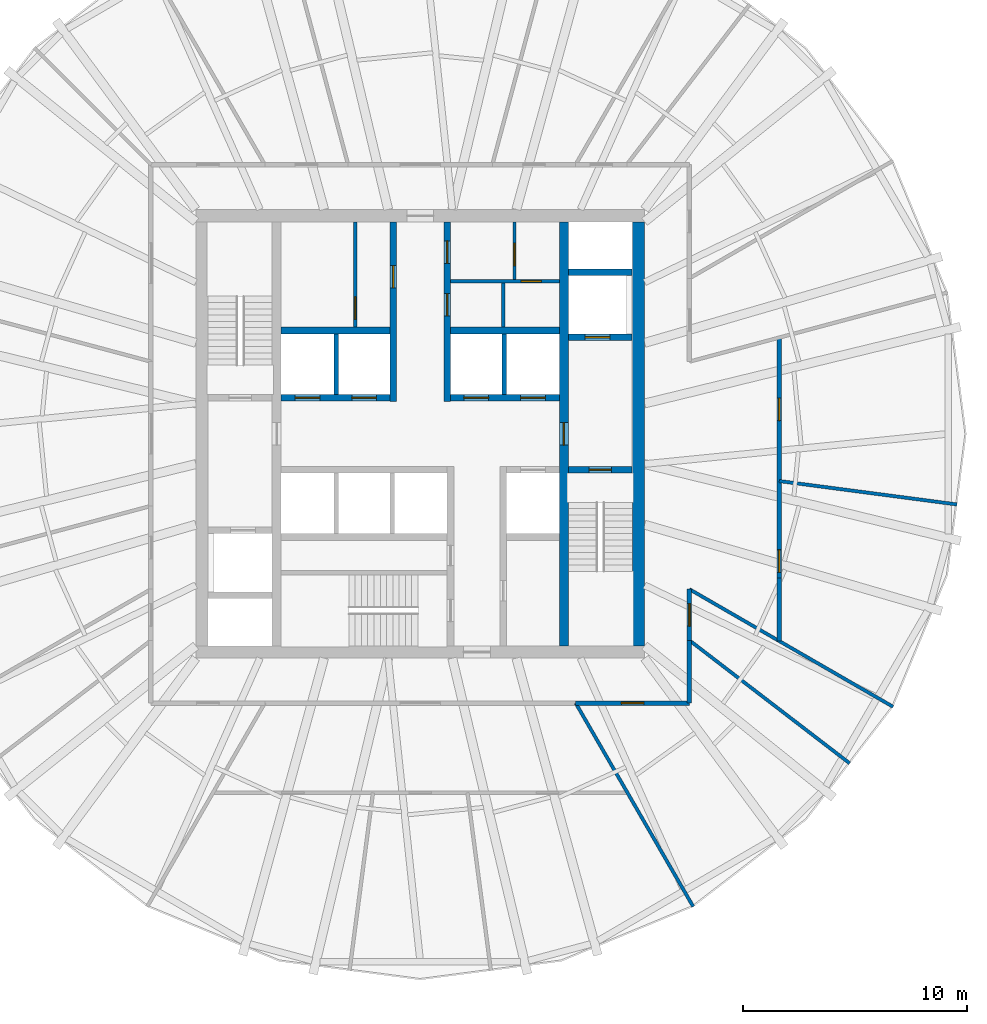
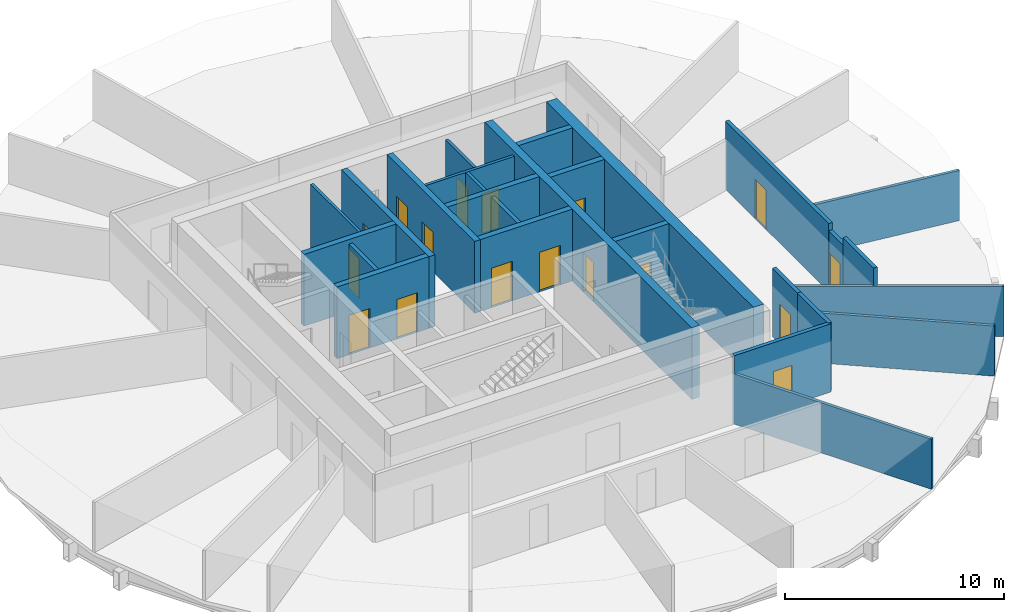
# One storey, part 4 of 6: 27 walls, 17 doors, 17 openings.
"""IFC4 building model written with IfcOpenShell, lengths in metres."""

from ifc_helpers import new_model, si_unit, direction, frame, frame_2d, origin, place, context, subcontext, project, spatial, rectangle, extrude, material, layer, layer_set, type_object, element, fill, save


model = new_model("IFC4")

# Units and contexts
model_context = context("Model", 3, precision=1e-05, world=origin(), true_north=direction((0.0, 1.0)))
body_context = subcontext(model_context, "Body", "Model", "MODEL_VIEW")
ifc_project = project(units=[si_unit("LENGTHUNIT", "METRE"), si_unit("AREAUNIT", "SQUARE_METRE"), si_unit("VOLUMEUNIT", "CUBIC_METRE"), si_unit("PLANEANGLEUNIT", "RADIAN"), si_unit("MASSUNIT", "GRAM", prefix="KILO")], contexts=[model_context])

# Site, building, storey
site_placement = place(None, origin())
site = spatial("IfcSite", under=ifc_project, at=site_placement, CompositionType="ELEMENT")
building_placement = place(site_placement, origin())
building = spatial("IfcBuilding", under=site, at=building_placement, Name="Golbaran Civic Tower", CompositionType="ELEMENT")
storey_placement = place(building_placement, frame((0.0, 0.0, 138.0)))
storey = spatial("IfcBuildingStorey", under=building, at=storey_placement, Name="L33", CompositionType="ELEMENT", Elevation=138.0)

# Wall, opening, door
ifc_material_1 = material(Name="Concrete block", Category="concrete")
ifc_layer_1 = layer(ifc_material_1, 0.14990234375, Name="Concrete block")
ifc_layer_set_1 = layer_set([ifc_layer_1], Name="Concrete block")
wall_type_1 = type_object("IfcWallType", Name="BLOCKWORK PARTITION 150", PredefinedType="PARTITIONING", material=ifc_layer_set_1)
wall_1_placement = place(storey_placement, frame((1.35009765625, 6.800048828125, 0.0), z_axis=(0.0, 0.0, 1.0), x_axis=(1.0, 0.0, 0.0)))
wall_1 = element("IfcWall", 1, at=wall_1_placement, inside=storey, type_object=wall_type_1, Name="Toilet block partition TN1 L33", PredefinedType="PARTITIONING", context=body_context, shape_type="SweptSolid", body=[
    extrude(rectangle(XDim=4.849853515625, YDim=0.14990234375, at=frame_2d((2.4248046875, 0.0))), origin(), (0.0, 0.0, 1.0), 3.75),
])
opening_1_placement = place(wall_1_placement, frame((3.14990234375, 0.0, 0.0)))
opening_1 = element("IfcOpeningElement", 2, at=opening_1_placement, cuts=wall_1, Name="Opening L33.CLN", PredefinedType="OPENING", context=body_context, shape_type="SweptSolid", body=[
    extrude(rectangle(XDim=0.89990234375, YDim=2.199951171875, at=frame_2d((0.449951171875, 1.10009765625))), frame((0.0, 0.0849609375, 0.0), z_axis=(0.0, -1.0, 0.0), x_axis=(1.0, 0.0, 0.0)), (0.0, 0.0, 1.0), 0.169921875),
])
ifc_material_2 = material(Name="Timber door set in steel frame", Category="steel")
door_type_1 = type_object("IfcDoorType", Name="RISER DOOR 900x2200", OperationType="SINGLE_SWING_LEFT", PredefinedType="DOOR", material=ifc_material_2)
door_1_placement = place(opening_1_placement, origin())
door_1 = element("IfcDoor", 3, at=door_1_placement, inside=storey, type_object=door_type_1, Name="Sanitary Supplies Store door", OperationType="SINGLE_SWING_RIGHT", OverallHeight=2.199951171875, OverallWidth=0.89990234375, PredefinedType="DOOR", context=body_context, shape_type="SweptSolid", body=[
    extrude(rectangle(XDim=0.89990234375, YDim=2.199951171875, at=frame_2d((0.449951171875, 1.10009765625))), frame((0.0, 0.02490234375, 0.0), z_axis=(0.0, -1.0, 0.0), x_axis=(1.0, 0.0, 0.0)), (0.0, 0.0, 1.0), 0.050048828125),
])
fill(opening_1, door_1)

# Wall
wall_2_placement = place(storey_placement, frame((3.699951171875, 4.75, 0.0), z_axis=(0.0, 0.0, 1.0), x_axis=(0.0, 1.0, 0.0)))
element("IfcWall", 4, at=wall_2_placement, inside=storey, type_object=wall_type_1, Name="Toilet block partition TN2 L33", PredefinedType="PARTITIONING", context=body_context, shape_type="SweptSolid", body=[
    extrude(rectangle(XDim=1.97509765625, YDim=0.14990234375, at=frame_2d((0.987548828125, 0.0))), origin(), (0.0, 0.0, 1.0), 3.75),
])

# Wall, opening, door
ifc_material_3 = material(Name="Concrete C50/60", Category="concrete")
ifc_layer_2 = layer(ifc_material_3, 0.39990234375, Name="Concrete C50/60")
ifc_layer_set_2 = layer_set([ifc_layer_2], Name="Concrete C50/60")
wall_type_2 = type_object("IfcWallType", Name="CORE WALL CONCRETE 400", PredefinedType="SOLIDWALL", material=ifc_layer_set_2)
wall_3_placement = place(storey_placement, frame((6.39990234375, 9.449951171875, 0.0), z_axis=(0.0, 0.0, 1.0), x_axis=(0.0, -1.0, 0.0)))
wall_3 = element("IfcWall", 5, at=wall_3_placement, inside=storey, type_object=wall_type_2, Name="Core wall IE L33", PredefinedType="SOLIDWALL", context=body_context, shape_type="SweptSolid", body=[
    extrude(rectangle(XDim=18.89990234375, YDim=0.39990234375, at=frame_2d((9.449951171875, 0.0))), origin(), (0.0, 0.0, 1.0), 4.0),
])
opening_2_placement = place(wall_3_placement, frame((8.949951171875, 0.0, 0.0)))
opening_2 = element("IfcOpeningElement", 6, at=opening_2_placement, cuts=wall_3, Name="Opening L33.FL2", PredefinedType="OPENING", context=body_context, shape_type="SweptSolid", body=[
    extrude(rectangle(XDim=1.0, YDim=2.199951171875, at=frame_2d((0.5, 1.10009765625))), frame((0.0, 0.2099609375, 0.0), z_axis=(0.0, -1.0, 0.0), x_axis=(1.0, 0.0, 0.0)), (0.0, 0.0, 1.0), 0.419921875),
])
door_type_2 = type_object("IfcDoorType", Name="STAIR DOOR 1000x2200", OperationType="SINGLE_SWING_LEFT", PredefinedType="DOOR", material=ifc_material_2)
door_2_placement = place(opening_2_placement, origin())
door_2 = element("IfcDoor", 7, at=door_2_placement, inside=storey, type_object=door_type_2, Name="Fire-fighting lobby FL2 door", OperationType="SINGLE_SWING_RIGHT", OverallHeight=2.199951171875, OverallWidth=1.0, PredefinedType="DOOR", context=body_context, shape_type="SweptSolid", body=[
    extrude(rectangle(XDim=1.0, YDim=2.199951171875, at=frame_2d((0.5, 1.10009765625))), frame((0.0, 0.02490234375, 0.0), z_axis=(0.0, -1.0, 0.0), x_axis=(1.0, 0.0, 0.0)), (0.0, 0.0, 1.0), 0.050048828125),
])
fill(opening_2, door_2)

# Wall
ifc_layer_3 = layer(ifc_material_3, 0.550048828125, Name="Concrete C50/60")
ifc_layer_set_3 = layer_set([ifc_layer_3], Name="Concrete C50/60")
wall_type_3 = type_object("IfcWallType", Name="CORE WALL CONCRETE 550", PredefinedType="SOLIDWALL", material=ifc_layer_set_3)
wall_4_placement = place(storey_placement, frame((9.72509765625, -9.449951171875, 0.0), z_axis=(0.0, 0.0, 1.0), x_axis=(0.0, 1.0, 0.0)))
element("IfcWall", 8, at=wall_4_placement, inside=storey, type_object=wall_type_3, Name="Core wall CE L33", PredefinedType="SOLIDWALL", context=body_context, shape_type="SweptSolid", body=[
    extrude(rectangle(XDim=18.89990234375, YDim=0.550048828125, at=frame_2d((9.449951171875, 0.0))), origin(), (0.0, 0.0, 1.0), 4.0),
])

# Wall, opening, door
ifc_material_4 = material(Name="Gypsum board on steel studs, fire-rated", Category="steel")
ifc_layer_4 = layer(ifc_material_4, 0.199951171875, Name="Gypsum board on steel studs, fire-rated")
ifc_layer_set_4 = layer_set([ifc_layer_4], Name="Gypsum board on steel studs, fire-rated")
wall_type_4 = type_object("IfcWallType", Name="CORRIDOR WALL 200", PredefinedType="PARTITIONING", material=ifc_layer_set_4)
wall_5_placement = place(storey_placement, frame((6.92822265625, -12.0, 0.0), z_axis=(0.0, 0.0, 1.0), x_axis=(1.0, 0.0, 0.0)))
wall_5 = element("IfcWall", 9, at=wall_5_placement, inside=storey, type_object=wall_type_4, Name="Corridor wall L33", PredefinedType="PARTITIONING", context=body_context, shape_type="SweptSolid", body=[
    extrude(rectangle(XDim=5.07177734375, YDim=0.199951171875, at=frame_2d((2.535888671875, 0.0))), origin(), (0.0, 0.0, 1.0), 3.800048828125),
])
opening_3_placement = place(wall_5_placement, frame((2.035888671875, 0.0, 0.0)))
opening_3 = element("IfcOpeningElement", 10, at=opening_3_placement, cuts=wall_5, Name="Opening L33.20", PredefinedType="OPENING", context=body_context, shape_type="SweptSolid", body=[
    extrude(rectangle(XDim=1.0, YDim=2.199951171875, at=frame_2d((0.5, 1.10009765625))), frame((0.0, 0.10986328125, 0.0), z_axis=(0.0, -1.0, 0.0), x_axis=(1.0, 0.0, 0.0)), (0.0, 0.0, 1.0), 0.219970703125),
])
door_type_3 = type_object("IfcDoorType", Name="OFFICE DOOR 1000x2200", OperationType="SINGLE_SWING_LEFT", PredefinedType="DOOR", material=ifc_material_2)
door_3_placement = place(opening_3_placement, origin())
door_3 = element("IfcDoor", 11, at=door_3_placement, inside=storey, type_object=door_type_3, Name="Pantry door L33", OperationType="SINGLE_SWING_LEFT", OverallHeight=2.199951171875, OverallWidth=1.0, PredefinedType="DOOR", context=body_context, shape_type="SweptSolid", body=[
    extrude(rectangle(XDim=1.0, YDim=2.199951171875, at=frame_2d((0.5, 1.10009765625))), frame((0.0, 0.02490234375, 0.0), z_axis=(0.0, -1.0, 0.0), x_axis=(1.0, 0.0, 0.0)), (0.0, 0.0, 1.0), 0.050048828125),
])
fill(opening_3, door_3)

# Wall
wall_6_placement = place(storey_placement, frame((12.0, -12.0, 0.0), z_axis=(0.0, 0.0, 1.0), x_axis=(0.0, 1.0, 0.0)))
element("IfcWall", 12, at=wall_6_placement, inside=storey, type_object=wall_type_4, Name="Corridor wall L33", PredefinedType="PARTITIONING", context=body_context, shape_type="SweptSolid", body=[
    extrude(rectangle(XDim=2.7919921875, YDim=0.199951171875, at=frame_2d((1.39599609375, 0.0))), origin(), (0.0, 0.0, 1.0), 3.800048828125),
])

# Wall, opening, door
wall_7_placement = place(storey_placement, frame((12.0, -9.2080078125, 0.0), z_axis=(0.0, 0.0, 1.0), x_axis=(0.0, 1.0, 0.0)))
wall_7 = element("IfcWall", 13, at=wall_7_placement, inside=storey, type_object=wall_type_4, Name="Corridor wall L33", PredefinedType="PARTITIONING", context=body_context, shape_type="SweptSolid", body=[
    extrude(rectangle(XDim=2.27978515625, YDim=0.199951171875, at=frame_2d((1.139892578125, 0.0))), origin(), (0.0, 0.0, 1.0), 3.800048828125),
])
opening_4_placement = place(wall_7_placement, frame((0.639892578125, 0.0, 0.0)))
opening_4 = element("IfcOpeningElement", 14, at=opening_4_placement, cuts=wall_7, Name="Opening L33.21", PredefinedType="OPENING", context=body_context, shape_type="SweptSolid", body=[
    extrude(rectangle(XDim=1.0, YDim=2.199951171875, at=frame_2d((0.5, 1.10009765625))), frame((0.0, 0.10986328125, 0.0), z_axis=(0.0, -1.0, 0.0), x_axis=(1.0, 0.0, 0.0)), (0.0, 0.0, 1.0), 0.219970703125),
])
door_4_placement = place(opening_4_placement, origin())
door_4 = element("IfcDoor", 15, at=door_4_placement, inside=storey, type_object=door_type_3, Name="Prayer Room door L33", OperationType="SINGLE_SWING_LEFT", OverallHeight=2.199951171875, OverallWidth=1.0, PredefinedType="DOOR", context=body_context, shape_type="SweptSolid", body=[
    extrude(rectangle(XDim=1.0, YDim=2.199951171875, at=frame_2d((0.5, 1.10009765625))), frame((0.0, 0.02490234375, 0.0), z_axis=(0.0, -1.0, 0.0), x_axis=(1.0, 0.0, 0.0)), (0.0, 0.0, 1.0), 0.050048828125),
])
fill(opening_4, door_4)

# Wall
ifc_material_5 = material(Name="Gypsum board on steel studs, fire-rated, glazed panels", Category="steel")
ifc_layer_5 = layer(ifc_material_5, 0.199951171875, Name="Gypsum board on steel studs, fire-rated, glazed panels")
ifc_layer_set_5 = layer_set([ifc_layer_5], Name="Gypsum board on steel studs, fire-rated, glazed panels")
wall_type_5 = type_object("IfcWallType", Name="GALLERY WALL 200", PredefinedType="PARTITIONING", material=ifc_layer_set_5)
wall_8_placement = place(storey_placement, frame((16.0, -9.237548828125, 0.0), z_axis=(0.0, 0.0, 1.0), x_axis=(0.0, 1.0, 0.0)))
element("IfcWall", 16, at=wall_8_placement, inside=storey, type_object=wall_type_5, Name="Gallery wall L33", PredefinedType="PARTITIONING", context=body_context, shape_type="SweptSolid", body=[
    extrude(rectangle(XDim=2.8017578125, YDim=0.199951171875, at=frame_2d((1.40087890625, 0.0))), origin(), (0.0, 0.0, 1.0), 3.800048828125),
])

# Wall, opening, door
wall_9_placement = place(storey_placement, frame((16.0, -6.435791015625, 0.0), z_axis=(0.0, 0.0, 1.0), x_axis=(0.0, 1.0, 0.0)))
wall_9 = element("IfcWall", 17, at=wall_9_placement, inside=storey, type_object=wall_type_5, Name="Gallery wall L33 (part 2)", PredefinedType="PARTITIONING", context=body_context, shape_type="SweptSolid", body=[
    extrude(rectangle(XDim=1.28369140625, YDim=0.199951171875, at=frame_2d((0.641845703125, 0.0))), origin(), (0.0, 0.0, 1.0), 3.39990234375),
])
opening_5_placement = place(wall_9_placement, frame((0.263671875, 0.0, 0.0)))
opening_5 = element("IfcOpeningElement", 18, at=opening_5_placement, cuts=wall_9, Name="Opening L33.01", PredefinedType="OPENING", context=body_context, shape_type="SweptSolid", body=[
    extrude(rectangle(XDim=1.0, YDim=2.199951171875, at=frame_2d((0.5, 1.10009765625))), frame((0.0, 0.10986328125, 0.0), z_axis=(0.0, -1.0, 0.0), x_axis=(1.0, 0.0, 0.0)), (0.0, 0.0, 1.0), 0.219970703125),
])
door_5_placement = place(opening_5_placement, origin())
door_5 = element("IfcDoor", 19, at=door_5_placement, inside=storey, type_object=door_type_3, Name="Office door L33", OperationType="SINGLE_SWING_LEFT", OverallHeight=2.199951171875, OverallWidth=1.0, PredefinedType="DOOR", context=body_context, shape_type="SweptSolid", body=[
    extrude(rectangle(XDim=1.0, YDim=2.199951171875, at=frame_2d((0.5, 1.10009765625))), frame((0.0, 0.02490234375, 0.0), z_axis=(0.0, -1.0, 0.0), x_axis=(1.0, 0.0, 0.0)), (0.0, 0.0, 1.0), 0.050048828125),
])
fill(opening_5, door_5)

wall_10_placement = place(storey_placement, frame((16.0, -5.152099609375, 0.0), z_axis=(0.0, 0.0, 1.0), x_axis=(0.0, 1.0, 0.0)))
wall_10 = element("IfcWall", 20, at=wall_10_placement, inside=storey, type_object=wall_type_5, Name="Gallery wall L33 (part 3)", PredefinedType="PARTITIONING", context=body_context, shape_type="SweptSolid", body=[
    extrude(rectangle(XDim=9.439208984375, YDim=0.199951171875, at=frame_2d((4.7197265625, 0.0))), origin(), (0.0, 0.0, 1.0), 3.800048828125),
])
opening_6_placement = place(wall_10_placement, frame((5.742431640625, 0.0, 0.0)))
opening_6 = element("IfcOpeningElement", 21, at=opening_6_placement, cuts=wall_10, Name="Opening L33.02", PredefinedType="OPENING", context=body_context, shape_type="SweptSolid", body=[
    extrude(rectangle(XDim=1.0, YDim=2.199951171875, at=frame_2d((0.5, 1.10009765625))), frame((0.0, 0.10986328125, 0.0), z_axis=(0.0, -1.0, 0.0), x_axis=(1.0, 0.0, 0.0)), (0.0, 0.0, 1.0), 0.219970703125),
])
door_6_placement = place(opening_6_placement, origin())
door_6 = element("IfcDoor", 22, at=door_6_placement, inside=storey, type_object=door_type_3, Name="Office door L33", OperationType="SINGLE_SWING_RIGHT", OverallHeight=2.199951171875, OverallWidth=1.0, PredefinedType="DOOR", context=body_context, shape_type="SweptSolid", body=[
    extrude(rectangle(XDim=1.0, YDim=2.199951171875, at=frame_2d((0.5, 1.10009765625))), frame((0.0, 0.02490234375, 0.0), z_axis=(0.0, -1.0, 0.0), x_axis=(1.0, 0.0, 0.0)), (0.0, 0.0, 1.0), 0.050048828125),
])
fill(opening_6, door_6)

# Walls
ifc_layer_6 = layer(ifc_material_1, 0.199951171875, Name="Concrete block")
ifc_layer_set_6 = layer_set([ifc_layer_6], Name="Concrete block")
wall_type_6 = type_object("IfcWallType", Name="LIFT SEPARATOR WALL 200", PredefinedType="SOLIDWALL", material=ifc_layer_set_6)
for number, where, z_axis, x_axis, name in (
    (23, (-3.75, 1.75, 0.0), (0.0, 0.0, 1.0), (0.0, 1.0, 0.0), "Core partition SNW L33"),
    (24, (3.75, 1.75, 0.0), (0.0, 0.0, 1.0), (0.0, 1.0, 0.0), "Core partition SNE L33"),
):
    element("IfcWall", number, at=place(storey_placement, frame(where, z_axis=z_axis, x_axis=x_axis)), inside=storey, type_object=wall_type_6, Name=name, PredefinedType="SOLIDWALL", context=body_context, shape_type="SweptSolid", body=[
        extrude(rectangle(XDim=2.699951171875, YDim=0.199951171875, at=frame_2d((1.35009765625, 0.0))), origin(), (0.0, 0.0, 1.0), 3.75),
    ])
ifc_material_6 = material(Name="Gypsum board on steel studs", Category="steel")
ifc_layer_7 = layer(ifc_material_6, 0.14990234375, Name="Gypsum board on steel studs")
ifc_layer_set_7 = layer_set([ifc_layer_7], Name="Gypsum board on steel studs")
wall_type_7 = type_object("IfcWallType", Name="OFFICE PARTITION 150", PredefinedType="PARTITIONING", material=ifc_layer_set_7)
for number, where, z_axis, x_axis, name in (
    (25, (12.0, -6.92822265625, 0.0), (0.0, 0.0, 1.0), (0.866029212144, -0.49999340367, 0.0), "Partition 330 L33"),
    (26, (6.92822265625, -12.0, 0.0), (0.0, 0.0, 1.0), (0.49999340367, -0.866029212144, 0.0), "Partition 300 L33"),
):
    element("IfcWall", number, at=place(storey_placement, frame(where, z_axis=z_axis, x_axis=x_axis)), inside=storey, type_object=wall_type_7, Name=name, PredefinedType="PARTITIONING", context=body_context, shape_type="SweptSolid", body=[
        extrude(rectangle(XDim=10.477783203125, YDim=0.14990234375, at=frame_2d((5.23876953125, 0.0))), origin(), (0.0, 0.0, 1.0), 2.7900390625),
    ])
wall_11_placement = place(storey_placement, frame((12.0, -9.2080078125, 0.0), z_axis=(0.0, 0.0, 1.0), x_axis=(0.79335350297, -0.608761217002, 0.0)))
element("IfcWall", 27, at=wall_11_placement, inside=storey, type_object=wall_type_7, Name="Partition 322.5 L33", PredefinedType="PARTITIONING", context=body_context, shape_type="SweptSolid", body=[
    extrude(rectangle(XDim=9.000244140625, YDim=0.14990234375, at=frame_2d((4.5, 0.0))), origin(), (0.0, 0.0, 1.0), 2.7900390625),
])
wall_12_placement = place(storey_placement, frame((16.0, -2.1064453125, 0.0), z_axis=(0.0, 0.0, 1.0), x_axis=(0.991443577351, -0.13053594497, 0.0)))
element("IfcWall", 28, at=wall_12_placement, inside=storey, type_object=wall_type_7, Name="Partition 352.5 L33", PredefinedType="PARTITIONING", context=body_context, shape_type="SweptSolid", body=[
    extrude(rectangle(XDim=7.988037109375, YDim=0.14990234375, at=frame_2d((3.994140625, 0.0))), origin(), (0.0, 0.0, 1.0), 2.7900390625),
])

# Wall, openings, doors
ifc_layer_8 = layer(ifc_material_3, 0.300048828125, Name="Concrete C50/60")
ifc_layer_set_8 = layer_set([ifc_layer_8], Name="Concrete C50/60")
wall_type_8 = type_object("IfcWallType", Name="SHAFT WALL CONCRETE 300", PredefinedType="SOLIDWALL", material=ifc_layer_set_8)
wall_13_placement = place(storey_placement, frame((-6.199951171875, 1.60009765625, 0.0), z_axis=(0.0, 0.0, 1.0), x_axis=(1.0, 0.0, 0.0)))
wall_13 = element("IfcWall", 29, at=wall_13_placement, inside=storey, type_object=wall_type_8, Name="Core wall FNW L33", PredefinedType="SOLIDWALL", context=body_context, shape_type="SweptSolid", body=[
    extrude(rectangle(XDim=4.849853515625, YDim=0.300048828125, at=frame_2d((2.4248046875, 0.0))), origin(), (0.0, 0.0, 1.0), 4.0),
])
opening_7_placement = place(wall_13_placement, frame((0.625, 0.0, 0.0)))
opening_7 = element("IfcOpeningElement", 30, at=opening_7_placement, cuts=wall_13, Name="Opening L33.LD-Z1M", PredefinedType="OPENING", context=body_context, shape_type="SweptSolid", body=[
    extrude(rectangle(XDim=1.10009765625, YDim=2.199951171875, at=frame_2d((0.550048828125, 1.10009765625))), frame((0.0, 0.159912109375, 0.0), z_axis=(0.0, -1.0, 0.0), x_axis=(1.0, 0.0, 0.0)), (0.0, 0.0, 1.0), 0.320068359375),
])
opening_8_placement = place(wall_13_placement, frame((3.14990234375, 0.0, 0.0)))
opening_8 = element("IfcOpeningElement", 31, at=opening_8_placement, cuts=wall_13, Name="Opening L33.LD-Z2M", PredefinedType="OPENING", context=body_context, shape_type="SweptSolid", body=[
    extrude(rectangle(XDim=1.10009765625, YDim=2.199951171875, at=frame_2d((0.550048828125, 1.10009765625))), frame((0.0, 0.159912109375, 0.0), z_axis=(0.0, -1.0, 0.0), x_axis=(1.0, 0.0, 0.0)), (0.0, 0.0, 1.0), 0.320068359375),
])
ifc_material_7 = material(Name="Stainless steel", Category="steel")
door_type_4 = type_object("IfcDoorType", Name="LIFT LANDING DOOR 1100x2200", OperationType="SLIDING_TO_LEFT", PredefinedType="DOOR", material=ifc_material_7)
door_7_placement = place(opening_7_placement, origin())
door_7 = element("IfcDoor", 32, at=door_7_placement, inside=storey, type_object=door_type_4, Name="Lift landing door Z1M", OperationType="SLIDING_TO_LEFT", OverallHeight=2.199951171875, OverallWidth=1.10009765625, PredefinedType="DOOR", context=body_context, shape_type="SweptSolid", body=[
    extrude(rectangle(XDim=1.10009765625, YDim=2.199951171875, at=frame_2d((0.550048828125, 1.10009765625))), frame((0.0, 0.02490234375, 0.0), z_axis=(0.0, -1.0, 0.0), x_axis=(1.0, 0.0, 0.0)), (0.0, 0.0, 1.0), 0.050048828125),
])
fill(opening_7, door_7)
door_8_placement = place(opening_8_placement, origin())
door_8 = element("IfcDoor", 33, at=door_8_placement, inside=storey, type_object=door_type_4, Name="Lift landing door Z2M", OperationType="SLIDING_TO_LEFT", OverallHeight=2.199951171875, OverallWidth=1.10009765625, PredefinedType="DOOR", context=body_context, shape_type="SweptSolid", body=[
    extrude(rectangle(XDim=1.10009765625, YDim=2.199951171875, at=frame_2d((0.550048828125, 1.10009765625))), frame((0.0, 0.02490234375, 0.0), z_axis=(0.0, -1.0, 0.0), x_axis=(1.0, 0.0, 0.0)), (0.0, 0.0, 1.0), 0.050048828125),
])
fill(opening_8, door_8)

wall_14_placement = place(storey_placement, frame((1.35009765625, 1.60009765625, 0.0), z_axis=(0.0, 0.0, 1.0), x_axis=(1.0, 0.0, 0.0)))
wall_14 = element("IfcWall", 34, at=wall_14_placement, inside=storey, type_object=wall_type_8, Name="Core wall FNE L33", PredefinedType="SOLIDWALL", context=body_context, shape_type="SweptSolid", body=[
    extrude(rectangle(XDim=4.849853515625, YDim=0.300048828125, at=frame_2d((2.4248046875, 0.0))), origin(), (0.0, 0.0, 1.0), 4.0),
])
opening_9_placement = place(wall_14_placement, frame((0.60009765625, 0.0, 0.0)))
opening_9 = element("IfcOpeningElement", 35, at=opening_9_placement, cuts=wall_14, Name="Opening L33.LD-Z3M", PredefinedType="OPENING", context=body_context, shape_type="SweptSolid", body=[
    extrude(rectangle(XDim=1.10009765625, YDim=2.199951171875, at=frame_2d((0.550048828125, 1.10009765625))), frame((0.0, 0.159912109375, 0.0), z_axis=(0.0, -1.0, 0.0), x_axis=(1.0, 0.0, 0.0)), (0.0, 0.0, 1.0), 0.320068359375),
])
opening_10_placement = place(wall_14_placement, frame((3.125, 0.0, 0.0)))
opening_10 = element("IfcOpeningElement", 36, at=opening_10_placement, cuts=wall_14, Name="Opening L33.LD-Z4M", PredefinedType="OPENING", context=body_context, shape_type="SweptSolid", body=[
    extrude(rectangle(XDim=1.10009765625, YDim=2.199951171875, at=frame_2d((0.550048828125, 1.10009765625))), frame((0.0, 0.159912109375, 0.0), z_axis=(0.0, -1.0, 0.0), x_axis=(1.0, 0.0, 0.0)), (0.0, 0.0, 1.0), 0.320068359375),
])
door_9_placement = place(opening_9_placement, origin())
door_9 = element("IfcDoor", 37, at=door_9_placement, inside=storey, type_object=door_type_4, Name="Lift landing door Z3M", OperationType="SLIDING_TO_LEFT", OverallHeight=2.199951171875, OverallWidth=1.10009765625, PredefinedType="DOOR", context=body_context, shape_type="SweptSolid", body=[
    extrude(rectangle(XDim=1.10009765625, YDim=2.199951171875, at=frame_2d((0.550048828125, 1.10009765625))), frame((0.0, 0.02490234375, 0.0), z_axis=(0.0, -1.0, 0.0), x_axis=(1.0, 0.0, 0.0)), (0.0, 0.0, 1.0), 0.050048828125),
])
fill(opening_9, door_9)
door_10_placement = place(opening_10_placement, origin())
door_10 = element("IfcDoor", 38, at=door_10_placement, inside=storey, type_object=door_type_4, Name="Lift landing door Z4M", OperationType="SLIDING_TO_LEFT", OverallHeight=2.199951171875, OverallWidth=1.10009765625, PredefinedType="DOOR", context=body_context, shape_type="SweptSolid", body=[
    extrude(rectangle(XDim=1.10009765625, YDim=2.199951171875, at=frame_2d((0.550048828125, 1.10009765625))), frame((0.0, 0.02490234375, 0.0), z_axis=(0.0, -1.0, 0.0), x_axis=(1.0, 0.0, 0.0)), (0.0, 0.0, 1.0), 0.050048828125),
])
fill(opening_10, door_10)

# Walls
for number, where, z_axis, x_axis, name in (
    (39, (-6.199951171875, 4.60009765625, 0.0), (0.0, 0.0, 1.0), (1.0, 0.0, 0.0), "Core wall BNW L33"),
    (40, (1.35009765625, 4.60009765625, 0.0), (0.0, 0.0, 1.0), (1.0, 0.0, 0.0), "Core wall BNE L33"),
):
    element("IfcWall", number, at=place(storey_placement, frame(where, z_axis=z_axis, x_axis=x_axis)), inside=storey, type_object=wall_type_8, Name=name, PredefinedType="SOLIDWALL", context=body_context, shape_type="SweptSolid", body=[
        extrude(rectangle(XDim=4.849853515625, YDim=0.300048828125, at=frame_2d((2.4248046875, 0.0))), origin(), (0.0, 0.0, 1.0), 4.0),
    ])

# Wall, opening, door
wall_15_placement = place(storey_placement, frame((-1.199951171875, 1.449951171875, 0.0), z_axis=(0.0, 0.0, 1.0), x_axis=(0.0, 1.0, 0.0)))
wall_15 = element("IfcWall", 41, at=wall_15_placement, inside=storey, type_object=wall_type_8, Name="Core wall PNW L33", PredefinedType="SOLIDWALL", context=body_context, shape_type="SweptSolid", body=[
    extrude(rectangle(XDim=8.0, YDim=0.300048828125, at=frame_2d((4.0, 0.0))), origin(), (0.0, 0.0, 1.0), 4.0),
])
opening_11_placement = place(wall_15_placement, frame((5.050048828125, 0.0, 0.0)))
opening_11 = element("IfcOpeningElement", 42, at=opening_11_placement, cuts=wall_15, Name="Opening L33.WCM", PredefinedType="OPENING", context=body_context, shape_type="SweptSolid", body=[
    extrude(rectangle(XDim=1.0, YDim=2.199951171875, at=frame_2d((0.5, 1.10009765625))), frame((0.0, 0.159912109375, 0.0), z_axis=(0.0, -1.0, 0.0), x_axis=(1.0, 0.0, 0.0)), (0.0, 0.0, 1.0), 0.320068359375),
])
door_type_5 = type_object("IfcDoorType", Name="TOILET DOOR 1000x2200", OperationType="SINGLE_SWING_LEFT", PredefinedType="DOOR", material=ifc_material_2)
door_11_placement = place(opening_11_placement, origin())
door_11 = element("IfcDoor", 43, at=door_11_placement, inside=storey, type_object=door_type_5, Name="North-west toilet block door", OperationType="SINGLE_SWING_RIGHT", OverallHeight=2.199951171875, OverallWidth=1.0, PredefinedType="DOOR", context=body_context, shape_type="SweptSolid", body=[
    extrude(rectangle(XDim=1.0, YDim=2.199951171875, at=frame_2d((0.5, 1.10009765625))), frame((0.0, 0.02490234375, 0.0), z_axis=(0.0, -1.0, 0.0), x_axis=(1.0, 0.0, 0.0)), (0.0, 0.0, 1.0), 0.050048828125),
])
fill(opening_11, door_11)

# Wall, openings, doors
wall_16_placement = place(storey_placement, frame((1.199951171875, 1.449951171875, 0.0), z_axis=(0.0, 0.0, 1.0), x_axis=(0.0, 1.0, 0.0)))
wall_16 = element("IfcWall", 44, at=wall_16_placement, inside=storey, type_object=wall_type_8, Name="Core wall PNE L33", PredefinedType="SOLIDWALL", context=body_context, shape_type="SweptSolid", body=[
    extrude(rectangle(XDim=8.0, YDim=0.300048828125, at=frame_2d((4.0, 0.0))), origin(), (0.0, 0.0, 1.0), 4.0),
])
opening_12_placement = place(wall_16_placement, frame((3.800048828125, 0.0, 0.0)))
opening_12 = element("IfcOpeningElement", 45, at=opening_12_placement, cuts=wall_16, Name="Opening L33.WCA", PredefinedType="OPENING", context=body_context, shape_type="SweptSolid", body=[
    extrude(rectangle(XDim=1.0, YDim=2.199951171875, at=frame_2d((0.5, 1.10009765625))), frame((0.0, 0.159912109375, 0.0), z_axis=(0.0, -1.0, 0.0), x_axis=(1.0, 0.0, 0.0)), (0.0, 0.0, 1.0), 0.320068359375),
])
opening_13_placement = place(wall_16_placement, frame((6.14990234375, 0.0, 0.0)))
opening_13 = element("IfcOpeningElement", 46, at=opening_13_placement, cuts=wall_16, Name="Opening L33.WCF", PredefinedType="OPENING", context=body_context, shape_type="SweptSolid", body=[
    extrude(rectangle(XDim=1.0, YDim=2.199951171875, at=frame_2d((0.5, 1.10009765625))), frame((0.0, 0.159912109375, 0.0), z_axis=(0.0, -1.0, 0.0), x_axis=(1.0, 0.0, 0.0)), (0.0, 0.0, 1.0), 0.320068359375),
])
door_12_placement = place(opening_12_placement, origin())
door_12 = element("IfcDoor", 47, at=door_12_placement, inside=storey, type_object=door_type_5, Name="Accessible WC door", OperationType="SINGLE_SWING_RIGHT", OverallHeight=2.199951171875, OverallWidth=1.0, PredefinedType="DOOR", context=body_context, shape_type="SweptSolid", body=[
    extrude(rectangle(XDim=1.0, YDim=2.199951171875, at=frame_2d((0.5, 1.10009765625))), frame((0.0, 0.02490234375, 0.0), z_axis=(0.0, -1.0, 0.0), x_axis=(1.0, 0.0, 0.0)), (0.0, 0.0, 1.0), 0.050048828125),
])
fill(opening_12, door_12)
door_13_placement = place(opening_13_placement, origin())
door_13 = element("IfcDoor", 48, at=door_13_placement, inside=storey, type_object=door_type_5, Name="North-east toilet block door", OperationType="SINGLE_SWING_RIGHT", OverallHeight=2.199951171875, OverallWidth=1.0, PredefinedType="DOOR", context=body_context, shape_type="SweptSolid", body=[
    extrude(rectangle(XDim=1.0, YDim=2.199951171875, at=frame_2d((0.5, 1.10009765625))), frame((0.0, 0.02490234375, 0.0), z_axis=(0.0, -1.0, 0.0), x_axis=(1.0, 0.0, 0.0)), (0.0, 0.0, 1.0), 0.050048828125),
])
fill(opening_13, door_13)

# Wall, opening, door
wall_17_placement = place(storey_placement, frame((6.60009765625, -1.60009765625, 0.0), z_axis=(0.0, 0.0, 1.0), x_axis=(1.0, 0.0, 0.0)))
wall_17 = element("IfcWall", 49, at=wall_17_placement, inside=storey, type_object=wall_type_8, Name="Core wall XE1 L33", PredefinedType="SOLIDWALL", context=body_context, shape_type="SweptSolid", body=[
    extrude(rectangle(XDim=2.849853515625, YDim=0.300048828125, at=frame_2d((1.4248046875, 0.0))), origin(), (0.0, 0.0, 1.0), 4.0),
])
opening_14_placement = place(wall_17_placement, frame((0.925048828125, 0.0, 0.0)))
opening_14 = element("IfcOpeningElement", 50, at=opening_14_placement, cuts=wall_17, Name="Opening L33.S2", PredefinedType="OPENING", context=body_context, shape_type="SweptSolid", body=[
    extrude(rectangle(XDim=1.0, YDim=2.199951171875, at=frame_2d((0.5, 1.10009765625))), frame((0.0, 0.159912109375, 0.0), z_axis=(0.0, -1.0, 0.0), x_axis=(1.0, 0.0, 0.0)), (0.0, 0.0, 1.0), 0.320068359375),
])
door_14_placement = place(opening_14_placement, origin())
door_14 = element("IfcDoor", 51, at=door_14_placement, inside=storey, type_object=door_type_2, Name="Stair S2 door", OperationType="SINGLE_SWING_LEFT", OverallHeight=2.199951171875, OverallWidth=1.0, PredefinedType="DOOR", context=body_context, shape_type="SweptSolid", body=[
    extrude(rectangle(XDim=1.0, YDim=2.199951171875, at=frame_2d((0.5, 1.10009765625))), frame((0.0, 0.02490234375, 0.0), z_axis=(0.0, -1.0, 0.0), x_axis=(1.0, 0.0, 0.0)), (0.0, 0.0, 1.0), 0.050048828125),
])
fill(opening_14, door_14)

wall_18_placement = place(storey_placement, frame((6.60009765625, 4.300048828125, 0.0), z_axis=(0.0, 0.0, 1.0), x_axis=(1.0, 0.0, 0.0)))
wall_18 = element("IfcWall", 52, at=wall_18_placement, inside=storey, type_object=wall_type_8, Name="Core wall XE2 L33", PredefinedType="SOLIDWALL", context=body_context, shape_type="SweptSolid", body=[
    extrude(rectangle(XDim=2.849853515625, YDim=0.300048828125, at=frame_2d((1.4248046875, 0.0))), origin(), (0.0, 0.0, 1.0), 4.0),
])
opening_15_placement = place(wall_18_placement, frame((0.75, 0.0, 0.0)))
opening_15 = element("IfcOpeningElement", 53, at=opening_15_placement, cuts=wall_18, Name="Opening L33.LD-F2", PredefinedType="OPENING", context=body_context, shape_type="SweptSolid", body=[
    extrude(rectangle(XDim=1.10009765625, YDim=2.199951171875, at=frame_2d((0.550048828125, 1.10009765625))), frame((0.0, 0.159912109375, 0.0), z_axis=(0.0, -1.0, 0.0), x_axis=(1.0, 0.0, 0.0)), (0.0, 0.0, 1.0), 0.320068359375),
])
door_15_placement = place(opening_15_placement, origin())
door_15 = element("IfcDoor", 54, at=door_15_placement, inside=storey, type_object=door_type_4, Name="Lift landing door F2", OperationType="SLIDING_TO_LEFT", OverallHeight=2.199951171875, OverallWidth=1.10009765625, PredefinedType="DOOR", context=body_context, shape_type="SweptSolid", body=[
    extrude(rectangle(XDim=1.10009765625, YDim=2.199951171875, at=frame_2d((0.550048828125, 1.10009765625))), frame((0.0, 0.02490234375, 0.0), z_axis=(0.0, -1.0, 0.0), x_axis=(1.0, 0.0, 0.0)), (0.0, 0.0, 1.0), 0.050048828125),
])
fill(opening_15, door_15)

# Wall
wall_19_placement = place(storey_placement, frame((6.60009765625, 7.199951171875, 0.0), z_axis=(0.0, 0.0, 1.0), x_axis=(1.0, 0.0, 0.0)))
element("IfcWall", 55, at=wall_19_placement, inside=storey, type_object=wall_type_8, Name="Core wall XE3 L33", PredefinedType="SOLIDWALL", context=body_context, shape_type="SweptSolid", body=[
    extrude(rectangle(XDim=2.849853515625, YDim=0.300048828125, at=frame_2d((1.4248046875, 0.0))), origin(), (0.0, 0.0, 1.0), 4.0),
])

# Wall, opening, door
ifc_material_8 = material(Name="Moisture-resistant gypsum board on steel studs", Category="steel")
ifc_layer_9 = layer(ifc_material_8, 0.14990234375, Name="Moisture-resistant gypsum board on steel studs")
ifc_layer_set_9 = layer_set([ifc_layer_9], Name="Moisture-resistant gypsum board on steel studs")
wall_type_9 = type_object("IfcWallType", Name="TOILET BLOCK PARTITION 150", PredefinedType="PARTITIONING", material=ifc_layer_set_9)
wall_20_placement = place(storey_placement, frame((4.199951171875, 6.875, 0.0), z_axis=(0.0, 0.0, 1.0), x_axis=(0.0, 1.0, 0.0)))
wall_20 = element("IfcWall", 56, at=wall_20_placement, inside=storey, type_object=wall_type_9, Name="Toilet block partition TN3 L33", PredefinedType="PARTITIONING", context=body_context, shape_type="SweptSolid", body=[
    extrude(rectangle(XDim=2.574951171875, YDim=0.14990234375, at=frame_2d((1.28759765625, 0.0))), origin(), (0.0, 0.0, 1.0), 3.75),
])
opening_16_placement = place(wall_20_placement, frame((0.625, 0.0, 0.0)))
opening_16 = element("IfcOpeningElement", 57, at=opening_16_placement, cuts=wall_20, Name="Opening L33.06", PredefinedType="OPENING", context=body_context, shape_type="SweptSolid", body=[
    extrude(rectangle(XDim=1.0, YDim=2.199951171875, at=frame_2d((0.5, 1.10009765625))), frame((0.0, 0.0849609375, 0.0), z_axis=(0.0, -1.0, 0.0), x_axis=(1.0, 0.0, 0.0)), (0.0, 0.0, 1.0), 0.169921875),
])
door_16_placement = place(opening_16_placement, origin())
door_16 = element("IfcDoor", 58, at=door_16_placement, inside=storey, type_object=door_type_5, Name="Parents' room door", OperationType="SINGLE_SWING_LEFT", OverallHeight=2.199951171875, OverallWidth=1.0, PredefinedType="DOOR", context=body_context, shape_type="SweptSolid", body=[
    extrude(rectangle(XDim=1.0, YDim=2.199951171875, at=frame_2d((0.5, 1.10009765625))), frame((0.0, 0.02490234375, 0.0), z_axis=(0.0, -1.0, 0.0), x_axis=(1.0, 0.0, 0.0)), (0.0, 0.0, 1.0), 0.050048828125),
])
fill(opening_16, door_16)

wall_21_placement = place(storey_placement, frame((-2.89990234375, 4.75, 0.0), z_axis=(0.0, 0.0, 1.0), x_axis=(0.0, 1.0, 0.0)))
wall_21 = element("IfcWall", 59, at=wall_21_placement, inside=storey, type_object=wall_type_9, Name="Toilet block partition MWL L33", PredefinedType="PARTITIONING", context=body_context, shape_type="SweptSolid", body=[
    extrude(rectangle(XDim=4.699951171875, YDim=0.14990234375, at=frame_2d((2.35009765625, 0.0))), origin(), (0.0, 0.0, 1.0), 3.75),
])
opening_17_placement = place(wall_21_placement, frame((0.35009765625, 0.0, 0.0)))
opening_17 = element("IfcOpeningElement", 60, at=opening_17_placement, cuts=wall_21, Name="Opening L33.22", PredefinedType="OPENING", context=body_context, shape_type="SweptSolid", body=[
    extrude(rectangle(XDim=1.0, YDim=2.199951171875, at=frame_2d((0.5, 1.10009765625))), frame((0.0, 0.0849609375, 0.0), z_axis=(0.0, -1.0, 0.0), x_axis=(1.0, 0.0, 0.0)), (0.0, 0.0, 1.0), 0.169921875),
])
door_17_placement = place(opening_17_placement, origin())
door_17 = element("IfcDoor", 61, at=door_17_placement, inside=storey, type_object=door_type_5, Name="Male WC door", OperationType="SINGLE_SWING_LEFT", OverallHeight=2.199951171875, OverallWidth=1.0, PredefinedType="DOOR", context=body_context, shape_type="SweptSolid", body=[
    extrude(rectangle(XDim=1.0, YDim=2.199951171875, at=frame_2d((0.5, 1.10009765625))), frame((0.0, 0.02490234375, 0.0), z_axis=(0.0, -1.0, 0.0), x_axis=(1.0, 0.0, 0.0)), (0.0, 0.0, 1.0), 0.050048828125),
])
fill(opening_17, door_17)

save(model, "model.ifc")
